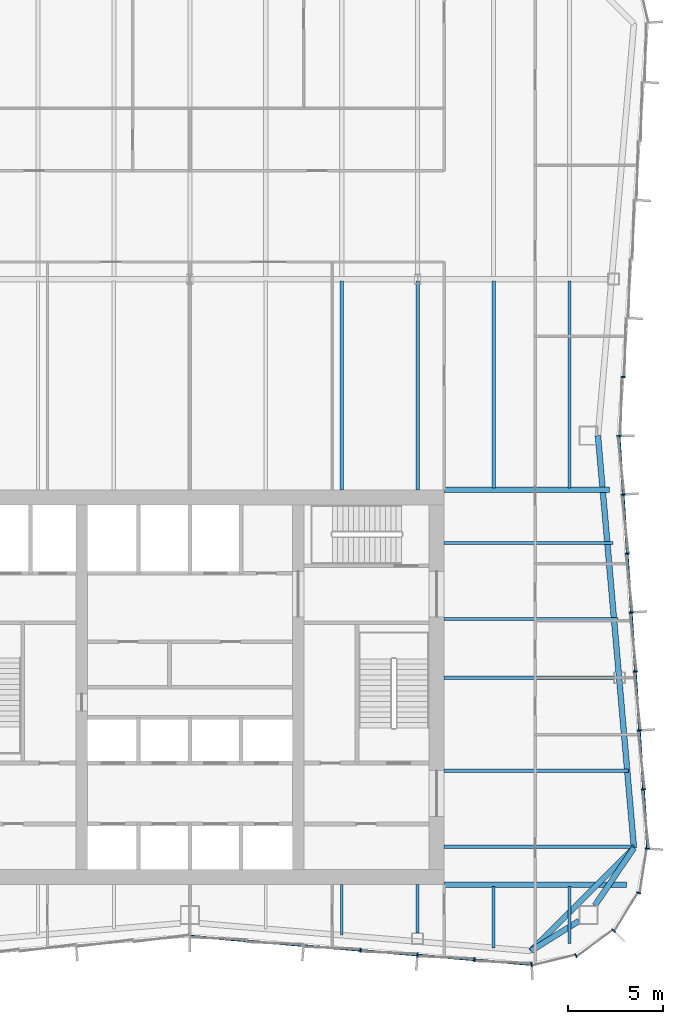
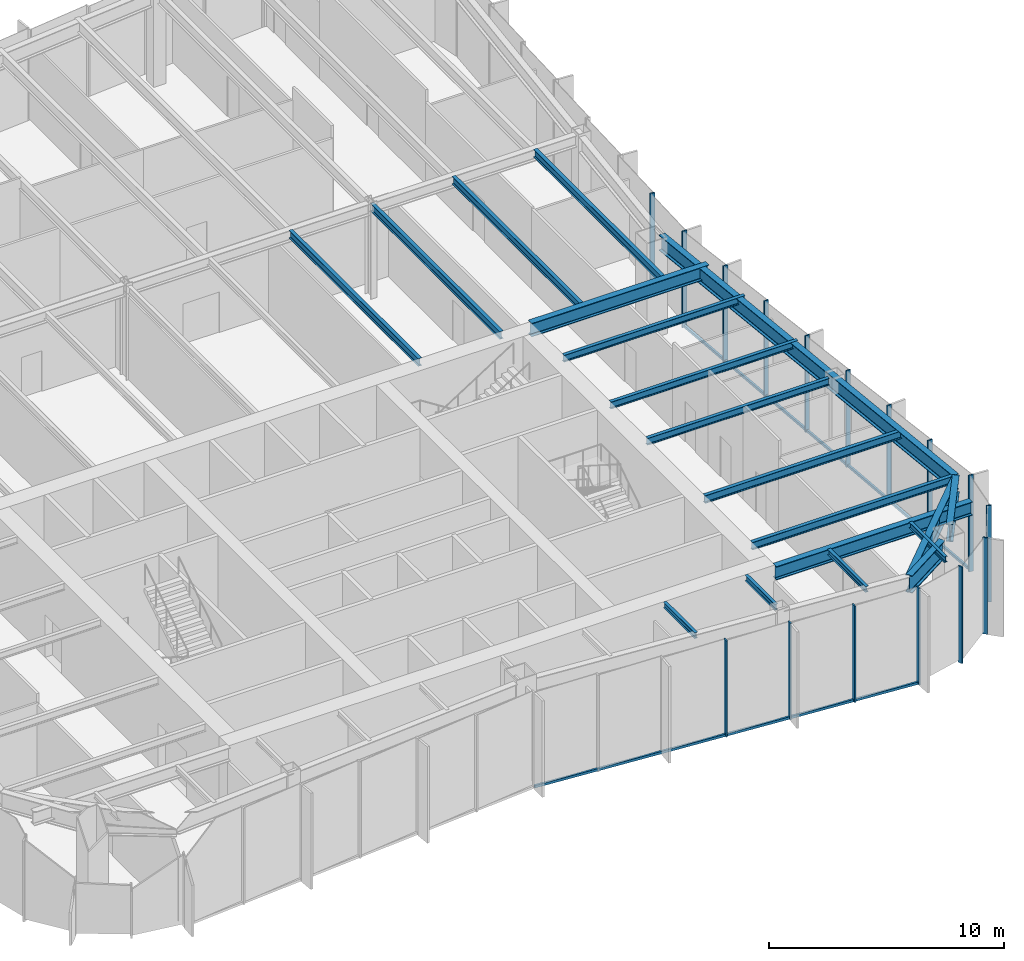
# One storey, part 5 of 15: 19 beams, 18 members, 3 elements without a shape of their own.
"""IFC4 building model written with IfcOpenShell, lengths in metres."""

from ifc_helpers import new_model, si_unit, direction, frame, origin, origin_2d, place, context, subcontext, project, spatial, rectangle, i_section, extrude, material, material_profile, profile_set, type_object, element, aggregate, save


model = new_model("IFC4")

# Units and contexts
model_context = context("Model", 3, precision=1e-05, world=origin(), true_north=direction((0.0, 1.0)))
body_context = subcontext(model_context, "Body", "Model", "MODEL_VIEW")
ifc_project = project(units=[si_unit("LENGTHUNIT", "METRE"), si_unit("AREAUNIT", "SQUARE_METRE"), si_unit("VOLUMEUNIT", "CUBIC_METRE"), si_unit("PLANEANGLEUNIT", "RADIAN"), si_unit("MASSUNIT", "GRAM", prefix="KILO")], contexts=[model_context])

# Site, building, storey
site_placement = place(None, origin())
site = spatial("IfcSite", under=ifc_project, at=site_placement, CompositionType="ELEMENT")
building_placement = place(site_placement, origin())
building = spatial("IfcBuilding", under=site, at=building_placement, Name="Verdant Reach Tower", CompositionType="ELEMENT")
storey_placement = place(building_placement, frame((0.0, 0.0, 233.0)))
storey = spatial("IfcBuildingStorey", under=building, at=storey_placement, Name="L53", CompositionType="ELEMENT", Elevation=233.0)

# Curtain wall, members
ifc_material_1 = material(Name="Anodised aluminium", Category="aluminium")
curtain_wall_type = type_object("IfcCurtainWallType", Name="EN-CW SYSTEM Z4", PredefinedType="NOTDEFINED", material=ifc_material_1)
curtain_wall_1_placement = place(storey_placement, origin())
curtain_wall_1 = element("IfcCurtainWall", 1, at=curtain_wall_1_placement, inside=storey, type_object=curtain_wall_type, Name="Curtain wall south-east corner, L53", PredefinedType="NOTDEFINED")
ifc_material_profile_1 = material_profile(ifc_material_1, rectangle(XDim=0.22412109375, YDim=0.068115234375, at=origin_2d()), Name="Mullion 68x224")
ifc_profile_set_1 = profile_set([ifc_material_profile_1], Name="Anodised aluminium")
member_type_1 = type_object("IfcMemberType", Name="EN-MULLION Z4", PredefinedType="MULLION", material=ifc_profile_set_1)
member_1_placement = place(storey_placement, frame((18.00634765625, 13.38818359375, -0.35009765625), z_axis=(0.0, 0.0, 1.0), x_axis=(0.056569187765, -0.998398681387, 0.0)))
member_1 = element("IfcMember", 2, at=member_1_placement, type_object=member_type_1, Name="Mullion south-east corner 1, L53", PredefinedType="MULLION", context=body_context, shape_type="SweptSolid", body=[
    extrude(rectangle(XDim=0.22412109375, YDim=0.068115234375, at=origin_2d()), origin(), (0.0, 0.0, 1.0), 5.0),
])
member_2_placement = place(storey_placement, frame((20.3388671875, 13.853271484375, -0.35009765625), z_axis=(0.0, 0.0, 1.0), x_axis=(0.382693853776, -0.923875215753, 0.0)))
member_2 = element("IfcMember", 3, at=member_2_placement, type_object=member_type_1, Name="Mullion south-east corner 2, L53", PredefinedType="MULLION", context=body_context, shape_type="SweptSolid", body=[
    extrude(rectangle(XDim=0.22412109375, YDim=0.068115234375, at=origin_2d()), origin(), (0.0, 0.0, 1.0), 5.0),
])
member_3_placement = place(storey_placement, frame((22.32177734375, 15.17822265625, -0.35009765625), z_axis=(0.0, 0.0, 1.0), x_axis=(0.707106781187, -0.707106781187, 0.0)))
member_3 = element("IfcMember", 4, at=member_3_placement, type_object=member_type_1, Name="Mullion south-east corner 3, L53", PredefinedType="MULLION", context=body_context, shape_type="SweptSolid", body=[
    extrude(rectangle(XDim=0.22412109375, YDim=0.068115234375, at=origin_2d()), origin(), (0.0, 0.0, 1.0), 5.0),
])
member_4_placement = place(storey_placement, frame((23.646728515625, 17.1611328125, -0.35009765625), z_axis=(0.0, 0.0, 1.0), x_axis=(0.923875215753, -0.382693853776, 0.0)))
member_4 = element("IfcMember", 5, at=member_4_placement, type_object=member_type_1, Name="Mullion south-east corner 4, L53", PredefinedType="MULLION", context=body_context, shape_type="SweptSolid", body=[
    extrude(rectangle(XDim=0.22412109375, YDim=0.068115234375, at=origin_2d()), origin(), (0.0, 0.0, 1.0), 5.0),
])
aggregate(curtain_wall_1, [member_1, member_2, member_3, member_4])

curtain_wall_2_placement = place(storey_placement, origin())
curtain_wall_2 = element("IfcCurtainWall", 6, at=curtain_wall_2_placement, inside=storey, type_object=curtain_wall_type, Name="Curtain wall east, L53", PredefinedType="NOTDEFINED")
member_5_placement = place(storey_placement, frame((24.11181640625, 19.492919921875, -0.35009765625), z_axis=(0.0, 0.0, 1.0), x_axis=(0.997969180898, -0.063698618332, 0.0)))
member_5 = element("IfcMember", 7, at=member_5_placement, type_object=member_type_1, Name="Mullion east face part 1 1, L53", PredefinedType="MULLION", context=body_context, shape_type="SweptSolid", body=[
    extrude(rectangle(XDim=0.22412109375, YDim=0.068115234375, at=origin_2d()), origin(), (0.0, 0.0, 1.0), 5.0),
])
member_6_placement = place(storey_placement, frame((23.8974609375, 22.61474609375, -0.35009765625), z_axis=(0.0, 0.0, 1.0), x_axis=(0.997630328423, 0.068802091615, 0.0)))
member_6 = element("IfcMember", 8, at=member_6_placement, type_object=member_type_1, Name="Mullion east face part 1 2, L53", PredefinedType="MULLION", context=body_context, shape_type="SweptSolid", body=[
    extrude(rectangle(XDim=0.22412109375, YDim=0.068115234375, at=origin_2d()), origin(), (0.0, 0.0, 1.0), 5.0),
])
member_7_placement = place(storey_placement, frame((23.68310546875, 25.721923828125, -0.35009765625), z_axis=(0.0, 0.0, 1.0), x_axis=(0.997630328423, 0.068802091615, 0.0)))
member_7 = element("IfcMember", 9, at=member_7_placement, type_object=member_type_1, Name="Mullion east face part 1 3, L53", PredefinedType="MULLION", context=body_context, shape_type="SweptSolid", body=[
    extrude(rectangle(XDim=0.22412109375, YDim=0.068115234375, at=origin_2d()), origin(), (0.0, 0.0, 1.0), 5.0),
])
member_8_placement = place(storey_placement, frame((23.468994140625, 28.8291015625, -0.35009765625), z_axis=(0.0, 0.0, 1.0), x_axis=(0.997630328423, 0.068802091615, 0.0)))
member_8 = element("IfcMember", 10, at=member_8_placement, type_object=member_type_1, Name="Mullion east face part 1 4, L53", PredefinedType="MULLION", context=body_context, shape_type="SweptSolid", body=[
    extrude(rectangle(XDim=0.22412109375, YDim=0.068115234375, at=origin_2d()), origin(), (0.0, 0.0, 1.0), 5.0),
])
member_9_placement = place(storey_placement, frame((23.254638671875, 31.936279296875, -0.35009765625), z_axis=(0.0, 0.0, 1.0), x_axis=(0.997630328423, 0.068802091615, 0.0)))
member_9 = element("IfcMember", 11, at=member_9_placement, type_object=member_type_1, Name="Mullion east face part 1 5, L53", PredefinedType="MULLION", context=body_context, shape_type="SweptSolid", body=[
    extrude(rectangle(XDim=0.22412109375, YDim=0.068115234375, at=origin_2d()), origin(), (0.0, 0.0, 1.0), 5.0),
])
member_10_placement = place(storey_placement, frame((23.040283203125, 35.04345703125, -0.35009765625), z_axis=(0.0, 0.0, 1.0), x_axis=(0.997630328423, 0.068802091615, 0.0)))
member_10 = element("IfcMember", 12, at=member_10_placement, type_object=member_type_1, Name="Mullion east face part 1 6, L53", PredefinedType="MULLION", context=body_context, shape_type="SweptSolid", body=[
    extrude(rectangle(XDim=0.22412109375, YDim=0.068115234375, at=origin_2d()), origin(), (0.0, 0.0, 1.0), 5.0),
])
member_11_placement = place(storey_placement, frame((22.825927734375, 38.150634765625, -0.35009765625), z_axis=(0.0, 0.0, 1.0), x_axis=(0.997630328423, 0.068802091615, 0.0)))
member_11 = element("IfcMember", 13, at=member_11_placement, type_object=member_type_1, Name="Mullion east face part 1 7, L53", PredefinedType="MULLION", context=body_context, shape_type="SweptSolid", body=[
    extrude(rectangle(XDim=0.22412109375, YDim=0.068115234375, at=origin_2d()), origin(), (0.0, 0.0, 1.0), 5.0),
])
member_12_placement = place(storey_placement, frame((22.612060546875, 41.25, -0.35009765625), z_axis=(0.0, 0.0, 1.0), x_axis=(1.0, 0.0, 0.0)))
member_12 = element("IfcMember", 14, at=member_12_placement, type_object=member_type_1, Name="Mullion east face part 2 1, L53", PredefinedType="MULLION", context=body_context, shape_type="SweptSolid", body=[
    extrude(rectangle(XDim=0.22412109375, YDim=0.068115234375, at=origin_2d()), origin(), (0.0, 0.0, 1.0), 5.0),
])
member_13_placement = place(storey_placement, frame((22.825927734375, 44.349365234375, -0.35009765625), z_axis=(0.0, 0.0, 1.0), x_axis=(0.997630328423, -0.068802091615, 0.0)))
member_13 = element("IfcMember", 15, at=member_13_placement, type_object=member_type_1, Name="Mullion east face part 2 2, L53", PredefinedType="MULLION", context=body_context, shape_type="SweptSolid", body=[
    extrude(rectangle(XDim=0.22412109375, YDim=0.068115234375, at=origin_2d()), origin(), (0.0, 0.0, 1.0), 5.0),
])

curtain_wall_3_placement = place(storey_placement, origin())
curtain_wall_3 = element("IfcCurtainWall", 16, at=curtain_wall_3_placement, inside=storey, type_object=curtain_wall_type, Name="Curtain wall south, L53", PredefinedType="NOTDEFINED")
member_14_placement = place(storey_placement, frame((8.99072265625, 14.138427734375, -0.35009765625), z_axis=(0.0, 0.0, 1.0), x_axis=(-0.083045479859, -0.996545758244, 0.0)))
member_14 = element("IfcMember", 17, at=member_14_placement, type_object=member_type_1, Name="Mullion south face part 2 4, L53", PredefinedType="MULLION", context=body_context, shape_type="SweptSolid", body=[
    extrude(rectangle(XDim=0.22412109375, YDim=0.068115234375, at=origin_2d()), origin(), (0.0, 0.0, 1.0), 5.0),
])
member_15_placement = place(storey_placement, frame((11.99072265625, 13.888427734375, -0.35009765625), z_axis=(0.0, 0.0, 1.0), x_axis=(-0.083045479859, -0.996545758244, 0.0)))
member_15 = element("IfcMember", 18, at=member_15_placement, type_object=member_type_1, Name="Mullion south face part 2 5, L53", PredefinedType="MULLION", context=body_context, shape_type="SweptSolid", body=[
    extrude(rectangle(XDim=0.22412109375, YDim=0.068115234375, at=origin_2d()), origin(), (0.0, 0.0, 1.0), 5.0),
])
member_16_placement = place(storey_placement, frame((14.99072265625, 13.638427734375, -0.35009765625), z_axis=(0.0, 0.0, 1.0), x_axis=(-0.083045479859, -0.996545758244, 0.0)))
member_16 = element("IfcMember", 19, at=member_16_placement, type_object=member_type_1, Name="Mullion south face part 2 6, L53", PredefinedType="MULLION", context=body_context, shape_type="SweptSolid", body=[
    extrude(rectangle(XDim=0.22412109375, YDim=0.068115234375, at=origin_2d()), origin(), (0.0, 0.0, 1.0), 5.0),
])

# Member
ifc_material_profile_2 = material_profile(ifc_material_1, rectangle(XDim=0.10009765625, YDim=0.1279296875, at=origin_2d()), Name="Transom 128x100")
ifc_profile_set_2 = profile_set([ifc_material_profile_2], Name="Anodised aluminium")
member_type_2 = type_object("IfcMemberType", Name="EN-TRANSOM Z4", PredefinedType="USERDEFINED", material=ifc_profile_set_2)
member_17_placement = place(storey_placement, frame((24.109375, 19.52685546875, -0.285888671875), z_axis=(-0.068770489035, 0.997632507408, 0.0), x_axis=(-0.997632507408, -0.068770489035, 0.0)))
member_17 = element("IfcMember", 20, at=member_17_placement, type_object=member_type_2, Name="Transom east face part 1 1.1, L53", ObjectType="TRANSOM", PredefinedType="USERDEFINED", context=body_context, shape_type="SweptSolid", body=[
    extrude(rectangle(XDim=0.10009765625, YDim=0.1279296875, at=origin_2d()), origin(), (0.0, 0.0, 1.0), 21.74072265625),
])

aggregate(curtain_wall_2, [member_5, member_6, member_7, member_8, member_9, member_10, member_11, member_17, member_12, member_13])

member_18_placement = place(storey_placement, frame((0.033935546875, 14.88525390625, -0.285888671875), z_axis=(0.996549124771, -0.083005071637, 0.0), x_axis=(0.083005071637, 0.996549124771, 0.0)))
member_18 = element("IfcMember", 21, at=member_18_placement, type_object=member_type_2, Name="Transom south face part 2 1.1, L53", ObjectType="TRANSOM", PredefinedType="USERDEFINED", context=body_context, shape_type="SweptSolid", body=[
    extrude(rectangle(XDim=0.10009765625, YDim=0.1279296875, at=origin_2d()), origin(), (0.0, 0.0, 1.0), 18.00048828125),
])

aggregate(curtain_wall_3, [member_14, member_15, member_16, member_18])

# Beams
ifc_material_2 = material(Name="Steel S355", Category="steel")
ifc_material_profile_3 = material_profile(ifc_material_2, i_section(OverallWidth=0.300048828125, OverallDepth=0.699951171875, WebThickness=0.01708984375, FlangeThickness=0.031982421875, FilletRadius=0.027099609375, at=origin_2d()), Name="HEB 700")
ifc_profile_set_3 = profile_set([ifc_material_profile_3], Name="Steel S355")
beam_type_1 = type_object("IfcBeamType", Name="ST-BEAM-HEB700", PredefinedType="BEAM", material=ifc_profile_set_3)
beam_1_placement = place(storey_placement, frame((13.39990234375, 38.39990234375, 4.52001953125), z_axis=(1.0, 0.0, 0.0), x_axis=(0.0, 1.0, 0.0)))
element("IfcBeam", 22, at=beam_1_placement, inside=storey, type_object=beam_type_1, Name="Trimmer beam, L53", PredefinedType="BEAM", context=body_context, shape_type="SweptSolid", body=[
    extrude(i_section(OverallWidth=0.300048828125, OverallDepth=0.699951171875, WebThickness=0.01708984375, FlangeThickness=0.031982421875, FilletRadius=0.027099609375, at=origin_2d()), origin(), (0.0, 0.0, 1.0), 8.6953125),
])
beam_2_placement = place(storey_placement, frame((13.39990234375, 17.60009765625, 4.52001953125), z_axis=(1.0, 0.0, 0.0), x_axis=(0.0, 1.0, 0.0)))
element("IfcBeam", 23, at=beam_2_placement, inside=storey, type_object=beam_type_1, Name="Trimmer beam, L53", PredefinedType="BEAM", context=body_context, shape_type="SweptSolid", body=[
    extrude(i_section(OverallWidth=0.300048828125, OverallDepth=0.699951171875, WebThickness=0.01708984375, FlangeThickness=0.031982421875, FilletRadius=0.027099609375, at=origin_2d()), origin(), (0.0, 0.0, 1.0), 9.6103515625),
])
ifc_material_profile_4 = material_profile(ifc_material_2, i_section(OverallWidth=0.302001953125, OverallDepth=0.909912109375, WebThickness=0.02099609375, FlangeThickness=0.0400390625, FilletRadius=0.030029296875, at=origin_2d()), Name="HEM 900")
ifc_profile_set_4 = profile_set([ifc_material_profile_4], Name="Steel S355")
beam_type_2 = type_object("IfcBeamType", Name="ST-BEAM-HEM900", PredefinedType="BEAM", material=ifc_profile_set_4)
beam_3_placement = place(storey_placement, frame((20.5, 15.687744140625, 4.4150390625), z_axis=(-0.848163521635, -0.529734500073, 0.0), x_axis=(0.529734500073, -0.848163521635, 0.0)))
element("IfcBeam", 24, at=beam_3_placement, inside=storey, type_object=beam_type_2, Name="Column stub beam, L53", PredefinedType="BEAM", context=body_context, shape_type="SweptSolid", body=[
    extrude(i_section(OverallWidth=0.302001953125, OverallDepth=0.909912109375, WebThickness=0.02099609375, FlangeThickness=0.0400390625, FilletRadius=0.030029296875, at=origin_2d()), origin(), (0.0, 0.0, 1.0), 2.98779296875),
])
beam_4_placement = place(storey_placement, frame((21.33837890625, 16.5, 4.4150390625), z_axis=(0.560703975309, 0.828016335631, 0.0), x_axis=(-0.828016335631, 0.560703975309, 0.0)))
element("IfcBeam", 25, at=beam_4_placement, inside=storey, type_object=beam_type_2, Name="Column stub beam, L53", PredefinedType="BEAM", context=body_context, shape_type="SweptSolid", body=[
    extrude(i_section(OverallWidth=0.302001953125, OverallDepth=0.909912109375, WebThickness=0.02099609375, FlangeThickness=0.0400390625, FilletRadius=0.030029296875, at=origin_2d()), origin(), (0.0, 0.0, 1.0), 3.669677734375),
])
ifc_material_profile_5 = material_profile(ifc_material_2, i_section(OverallWidth=0.14990234375, OverallDepth=0.300048828125, WebThickness=0.007080078125, FlangeThickness=0.0107421875, FilletRadius=0.014892578125, at=origin_2d()), Name="IPE 300")
ifc_profile_set_5 = profile_set([ifc_material_profile_5], Name="Steel S355")
beam_type_3 = type_object("IfcBeamType", Name="ST-JOIST-IPE300", PredefinedType="JOIST", material=ifc_profile_set_5)
beam_5_placement = place(storey_placement, frame((8.0, 17.60009765625, 4.719970703125), z_axis=(0.0, -1.0, 0.0), x_axis=(1.0, 0.0, 0.0)))
element("IfcBeam", 26, at=beam_5_placement, inside=storey, type_object=beam_type_3, Name="Floor joist, L53", PredefinedType="JOIST", context=body_context, shape_type="SweptSolid", body=[
    extrude(i_section(OverallWidth=0.14990234375, OverallDepth=0.300048828125, WebThickness=0.007080078125, FlangeThickness=0.0107421875, FilletRadius=0.014892578125, at=origin_2d()), origin(), (0.0, 0.0, 1.0), 2.664794921875),
])
beam_6_placement = place(storey_placement, frame((12.0, 17.60009765625, 4.719970703125), z_axis=(0.0, -1.0, 0.0), x_axis=(1.0, 0.0, 0.0)))
element("IfcBeam", 27, at=beam_6_placement, inside=storey, type_object=beam_type_3, Name="Floor joist, L53", PredefinedType="JOIST", context=body_context, shape_type="SweptSolid", body=[
    extrude(i_section(OverallWidth=0.14990234375, OverallDepth=0.300048828125, WebThickness=0.007080078125, FlangeThickness=0.0107421875, FilletRadius=0.014892578125, at=origin_2d()), origin(), (0.0, 0.0, 1.0), 2.550048828125),
])
beam_7_placement = place(storey_placement, frame((16.0, 17.5, 4.719970703125), z_axis=(0.0, -1.0, 0.0), x_axis=(1.0, 0.0, 0.0)))
element("IfcBeam", 28, at=beam_7_placement, inside=storey, type_object=beam_type_3, Name="Floor joist, L53", PredefinedType="JOIST", context=body_context, shape_type="SweptSolid", body=[
    extrude(i_section(OverallWidth=0.14990234375, OverallDepth=0.300048828125, WebThickness=0.007080078125, FlangeThickness=0.0107421875, FilletRadius=0.014892578125, at=origin_2d()), origin(), (0.0, 0.0, 1.0), 3.231201171875),
])
beam_8_placement = place(storey_placement, frame((20.0, 17.5, 4.719970703125), z_axis=(0.0, -1.0, 0.0), x_axis=(1.0, 0.0, 0.0)))
element("IfcBeam", 29, at=beam_8_placement, inside=storey, type_object=beam_type_3, Name="Floor joist, L53", PredefinedType="JOIST", context=body_context, shape_type="SweptSolid", body=[
    extrude(i_section(OverallWidth=0.14990234375, OverallDepth=0.300048828125, WebThickness=0.007080078125, FlangeThickness=0.0107421875, FilletRadius=0.014892578125, at=origin_2d()), origin(), (0.0, 0.0, 1.0), 2.990478515625),
])
ifc_material_profile_6 = material_profile(ifc_material_2, i_section(OverallWidth=0.169921875, OverallDepth=0.360107421875, WebThickness=0.008056640625, FlangeThickness=0.0126953125, FilletRadius=0.01806640625, at=origin_2d()), Name="IPE 360")
ifc_profile_set_6 = profile_set([ifc_material_profile_6], Name="Steel S355")
beam_type_4 = type_object("IfcBeamType", Name="ST-JOIST-IPE360", PredefinedType="JOIST", material=ifc_profile_set_6)
beam_9_placement = place(storey_placement, frame((13.39990234375, 28.5, 4.68994140625), z_axis=(1.0, 0.0, 0.0), x_axis=(0.0, 1.0, 0.0)))
element("IfcBeam", 30, at=beam_9_placement, inside=storey, type_object=beam_type_4, Name="Floor joist, L53", PredefinedType="JOIST", context=body_context, shape_type="SweptSolid", body=[
    extrude(i_section(OverallWidth=0.169921875, OverallDepth=0.360107421875, WebThickness=0.008056640625, FlangeThickness=0.0126953125, FilletRadius=0.01806640625, at=origin_2d()), origin(), (0.0, 0.0, 1.0), 8.929443359375),
])
beam_10_placement = place(storey_placement, frame((13.39990234375, 31.60009765625, 4.68994140625), z_axis=(1.0, 0.0, 0.0), x_axis=(0.0, 1.0, 0.0)))
element("IfcBeam", 31, at=beam_10_placement, inside=storey, type_object=beam_type_4, Name="Floor joist, L53", PredefinedType="JOIST", context=body_context, shape_type="SweptSolid", body=[
    extrude(i_section(OverallWidth=0.169921875, OverallDepth=0.360107421875, WebThickness=0.008056640625, FlangeThickness=0.0126953125, FilletRadius=0.01806640625, at=origin_2d()), origin(), (0.0, 0.0, 1.0), 9.164306640625),
])
beam_11_placement = place(storey_placement, frame((13.39990234375, 35.60009765625, 4.68994140625), z_axis=(1.0, 0.0, 0.0), x_axis=(0.0, 1.0, 0.0)))
element("IfcBeam", 32, at=beam_11_placement, inside=storey, type_object=beam_type_4, Name="Floor joist, L53", PredefinedType="JOIST", context=body_context, shape_type="SweptSolid", body=[
    extrude(i_section(OverallWidth=0.169921875, OverallDepth=0.360107421875, WebThickness=0.008056640625, FlangeThickness=0.0126953125, FilletRadius=0.01806640625, at=origin_2d()), origin(), (0.0, 0.0, 1.0), 8.88818359375),
])
ifc_material_profile_7 = material_profile(ifc_material_2, i_section(OverallWidth=0.179931640625, OverallDepth=0.39990234375, WebThickness=0.008544921875, FlangeThickness=0.013427734375, FilletRadius=0.02099609375, at=origin_2d()), Name="IPE 400")
ifc_profile_set_7 = profile_set([ifc_material_profile_7], Name="Steel S355")
beam_type_5 = type_object("IfcBeamType", Name="ST-JOIST-IPE400", PredefinedType="JOIST", material=ifc_profile_set_7)
for number, where, z_axis, x_axis, name in (
    (33, (8.0, 38.39990234375, 4.669921875), (0.0, 1.0, 0.0), (-1.0, 0.0, 0.0), "Floor joist, L53"),
    (34, (12.0, 38.39990234375, 4.669921875), (0.0, 1.0, 0.0), (-1.0, 0.0, 0.0), "Floor joist, L53"),
):
    element("IfcBeam", number, at=place(storey_placement, frame(where, z_axis=z_axis, x_axis=x_axis)), inside=storey, type_object=beam_type_5, Name=name, PredefinedType="JOIST", context=body_context, shape_type="SweptSolid", body=[
        extrude(i_section(OverallWidth=0.179931640625, OverallDepth=0.39990234375, WebThickness=0.008544921875, FlangeThickness=0.013427734375, FilletRadius=0.02099609375, at=origin_2d()), origin(), (0.0, 0.0, 1.0), 11.0),
    ])
for number, where, z_axis, x_axis, name in (
    (35, (16.0, 38.5, 4.669921875), (0.0, 1.0, 0.0), (-1.0, 0.0, 0.0), "Floor joist, L53"),
    (36, (20.0, 38.5, 4.669921875), (0.0, 1.0, 0.0), (-1.0, 0.0, 0.0), "Floor joist, L53"),
):
    element("IfcBeam", number, at=place(storey_placement, frame(where, z_axis=z_axis, x_axis=x_axis)), inside=storey, type_object=beam_type_5, Name=name, PredefinedType="JOIST", context=body_context, shape_type="SweptSolid", body=[
        extrude(i_section(OverallWidth=0.179931640625, OverallDepth=0.39990234375, WebThickness=0.008544921875, FlangeThickness=0.013427734375, FilletRadius=0.02099609375, at=origin_2d()), origin(), (0.0, 0.0, 1.0), 10.89990234375),
    ])
beam_12_placement = place(storey_placement, frame((13.39990234375, 19.60009765625, 4.669921875), z_axis=(1.0, 0.0, 0.0), x_axis=(0.0, 1.0, 0.0)))
element("IfcBeam", 37, at=beam_12_placement, inside=storey, type_object=beam_type_5, Name="Floor joist, L53", PredefinedType="JOIST", context=body_context, shape_type="SweptSolid", body=[
    extrude(i_section(OverallWidth=0.179931640625, OverallDepth=0.39990234375, WebThickness=0.008544921875, FlangeThickness=0.013427734375, FilletRadius=0.02099609375, at=origin_2d()), origin(), (0.0, 0.0, 1.0), 9.99169921875),
])
beam_13_placement = place(storey_placement, frame((13.39990234375, 23.60009765625, 4.669921875), z_axis=(1.0, 0.0, 0.0), x_axis=(0.0, 1.0, 0.0)))
element("IfcBeam", 38, at=beam_13_placement, inside=storey, type_object=beam_type_5, Name="Floor joist, L53", PredefinedType="JOIST", context=body_context, shape_type="SweptSolid", body=[
    extrude(i_section(OverallWidth=0.179931640625, OverallDepth=0.39990234375, WebThickness=0.008544921875, FlangeThickness=0.013427734375, FilletRadius=0.02099609375, at=origin_2d()), origin(), (0.0, 0.0, 1.0), 9.7158203125),
])
ifc_material_profile_8 = material_profile(ifc_material_2, i_section(OverallWidth=0.300048828125, OverallDepth=0.800048828125, WebThickness=0.017578125, FlangeThickness=0.032958984375, FilletRadius=0.030029296875, at=origin_2d()), Name="HEB 800")
ifc_profile_set_8 = profile_set([ifc_material_profile_8], Name="Steel S355")
beam_type_6 = type_object("IfcBeamType", Name="ST-SPANDREL-HEB800", PredefinedType="SPANDREL", material=ifc_profile_set_8)
beam_14_placement = place(storey_placement, frame((21.5, 41.25, 4.469970703125), z_axis=(0.086996024331, -0.996208658741, 0.0), x_axis=(0.996208658741, 0.086996024331, 0.0)))
element("IfcBeam", 39, at=beam_14_placement, inside=storey, type_object=beam_type_6, Name="Edge beam, L53", PredefinedType="SPANDREL", context=body_context, shape_type="SweptSolid", body=[
    extrude(i_section(OverallWidth=0.300048828125, OverallDepth=0.800048828125, WebThickness=0.017578125, FlangeThickness=0.032958984375, FilletRadius=0.030029296875, at=origin_2d()), origin(), (0.0, 0.0, 1.0), 21.7939453125),
])
ifc_material_profile_9 = material_profile(ifc_material_2, i_section(OverallWidth=0.302001953125, OverallDepth=0.909912109375, WebThickness=0.02099609375, FlangeThickness=0.0400390625, FilletRadius=0.030029296875, at=origin_2d()), Name="HEM 900")
ifc_profile_set_9 = profile_set([ifc_material_profile_9], Name="Steel S355")
beam_type_7 = type_object("IfcBeamType", Name="ST-SPANDREL-HEM900", PredefinedType="SPANDREL", material=ifc_profile_set_9)
beam_15_placement = place(storey_placement, frame((23.39599609375, 19.53857421875, 4.4150390625), z_axis=(-0.706884275642, -0.707329216738, 0.0), x_axis=(0.707329216738, -0.706884275642, 0.0)))
element("IfcBeam", 40, at=beam_15_placement, inside=storey, type_object=beam_type_7, Name="Edge beam, L53", PredefinedType="SPANDREL", context=body_context, shape_type="SweptSolid", body=[
    extrude(i_section(OverallWidth=0.302001953125, OverallDepth=0.909912109375, WebThickness=0.02099609375, FlangeThickness=0.0400390625, FilletRadius=0.030029296875, at=origin_2d()), origin(), (0.0, 0.0, 1.0), 7.681884765625),
])

save(model, "model.ifc")
